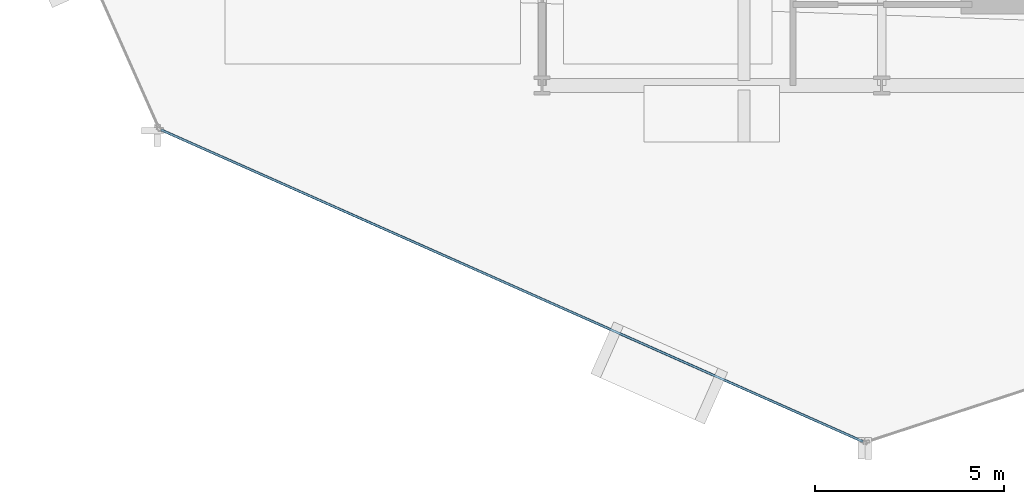
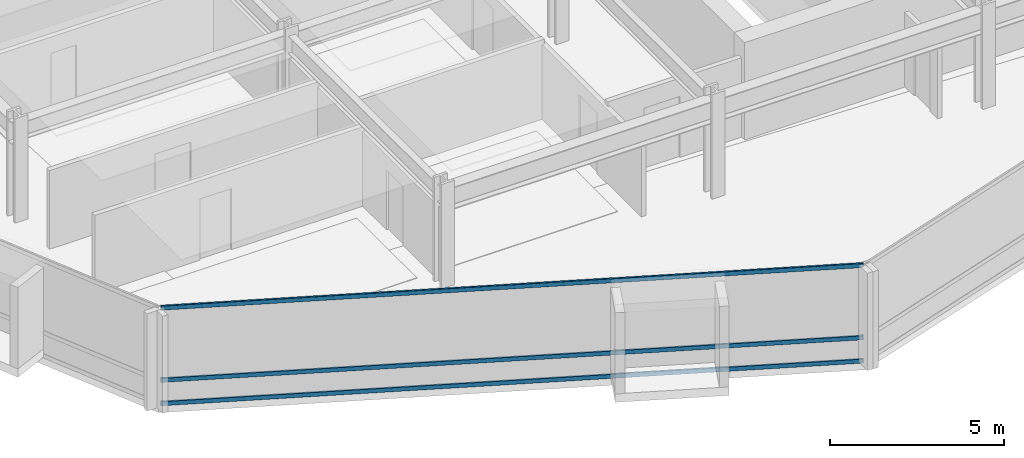
# One storey, part 3 of 34: 3 members, 1 element without a shape of its own.
"""IFC4 building model written with IfcOpenShell, lengths in metres."""

from ifc_helpers import new_model, si_unit, direction, frame, origin, origin_2d, place, context, subcontext, project, spatial, hollow_rectangle, extrude, material, layer, layer_set, material_profile, profile_set, type_object, element, aggregate, save


model = new_model("IFC4")

# Units and contexts
model_context = context("Model", 3, precision=1e-05, world=origin(), true_north=direction((0.0, 1.0)))
body_context = subcontext(model_context, "Body", "Model", "MODEL_VIEW")
ifc_project = project(units=[si_unit("LENGTHUNIT", "METRE"), si_unit("AREAUNIT", "SQUARE_METRE"), si_unit("VOLUMEUNIT", "CUBIC_METRE"), si_unit("PLANEANGLEUNIT", "RADIAN"), si_unit("MASSUNIT", "GRAM", prefix="KILO")], contexts=[model_context])

# Site, building, storey
site_placement = place(None, origin())
site = spatial("IfcSite", under=ifc_project, at=site_placement, CompositionType="ELEMENT")
building_placement = place(site_placement, origin())
building = spatial("IfcBuilding", under=site, at=building_placement, Name="Solvaryn Broadcast Tower", CompositionType="ELEMENT")
storey_placement = place(building_placement, frame((0.0, 0.0, 36.0)))
storey = spatial("IfcBuildingStorey", under=building, at=storey_placement, Name="L07", CompositionType="ELEMENT", Elevation=36.0)

# Curtain wall, members
ifc_material_1 = material(Name="Aluminium and Terracotta Unitised Curtain Wall", Category="masonry")
ifc_layer = layer(ifc_material_1, 0.199951171875)
ifc_layer_set = layer_set([ifc_layer], Name="CW-SYS2-LOWMID")
curtain_wall_type = type_object("IfcCurtainWallType", Name="CW-SYS2-LOWMID", PredefinedType="NOTDEFINED", material=ifc_layer_set)
curtain_wall_placement = place(storey_placement, origin())
curtain_wall = element("IfcCurtainWall", 1, at=curtain_wall_placement, inside=storey, type_object=curtain_wall_type, Name="L07 Curtain Wall DR3", PredefinedType="NOTDEFINED")
ifc_material_2 = material(Name="Anodised Aluminium 6063-T6", Category="aluminium")
ifc_material_profile = material_profile(ifc_material_2, hollow_rectangle(XDim=0.06494140625, YDim=0.14990234375, WallThickness=0.00390625, InnerFilletRadius=0.00390625, OuterFilletRadius=0.008056640625, at=origin_2d()))
ifc_profile_set = profile_set([ifc_material_profile], Name="Anodised Aluminium 6063-T6")
member_type = type_object("IfcMemberType", Name="CW-TRN-150", PredefinedType="USERDEFINED", material=ifc_profile_set)
member_1_placement = place(storey_placement, frame((7.90185546875, 7.82275390625, 0.030029296875), z_axis=(0.913914888191, -0.405905872269, 0.0), x_axis=(0.405905872269, 0.913914888191, 0.0)))
member_1 = element("IfcMember", 2, at=member_1_placement, type_object=member_type, Name="CWS2 transom 1.1", ObjectType="TRANSOM", PredefinedType="USERDEFINED", context=body_context, shape_type="SweptSolid", body=[
    extrude(hollow_rectangle(XDim=0.06494140625, YDim=0.14990234375, WallThickness=0.00390625, InnerFilletRadius=0.00390625, OuterFilletRadius=0.008056640625, at=origin_2d()), origin(), (0.0, 0.0, 1.0), 20.35546875),
])
member_2_placement = place(storey_placement, frame((7.90185546875, 7.82275390625, 0.85009765625), z_axis=(0.913914888191, -0.405905872269, 0.0), x_axis=(0.405905872269, 0.913914888191, 0.0)))
member_2 = element("IfcMember", 3, at=member_2_placement, type_object=member_type, Name="CWS2 transom 1.2", ObjectType="TRANSOM", PredefinedType="USERDEFINED", context=body_context, shape_type="SweptSolid", body=[
    extrude(hollow_rectangle(XDim=0.06494140625, YDim=0.14990234375, WallThickness=0.00390625, InnerFilletRadius=0.00390625, OuterFilletRadius=0.008056640625, at=origin_2d()), origin(), (0.0, 0.0, 1.0), 20.35546875),
])
member_3_placement = place(storey_placement, frame((7.90185546875, 7.82275390625, 3.389892578125), z_axis=(0.913914888191, -0.405905872269, 0.0), x_axis=(0.405905872269, 0.913914888191, 0.0)))
member_3 = element("IfcMember", 4, at=member_3_placement, type_object=member_type, Name="CWS2 transom 1.3", ObjectType="TRANSOM", PredefinedType="USERDEFINED", context=body_context, shape_type="SweptSolid", body=[
    extrude(hollow_rectangle(XDim=0.06494140625, YDim=0.14990234375, WallThickness=0.00390625, InnerFilletRadius=0.00390625, OuterFilletRadius=0.008056640625, at=origin_2d()), origin(), (0.0, 0.0, 1.0), 20.35546875),
])
aggregate(curtain_wall, [member_1, member_2, member_3])

save(model, "model.ifc")
